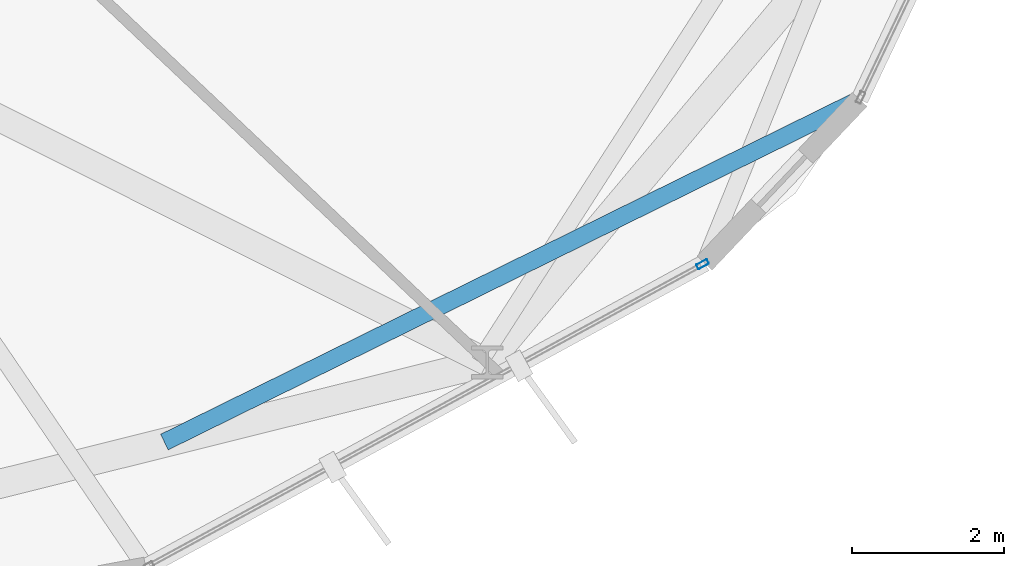
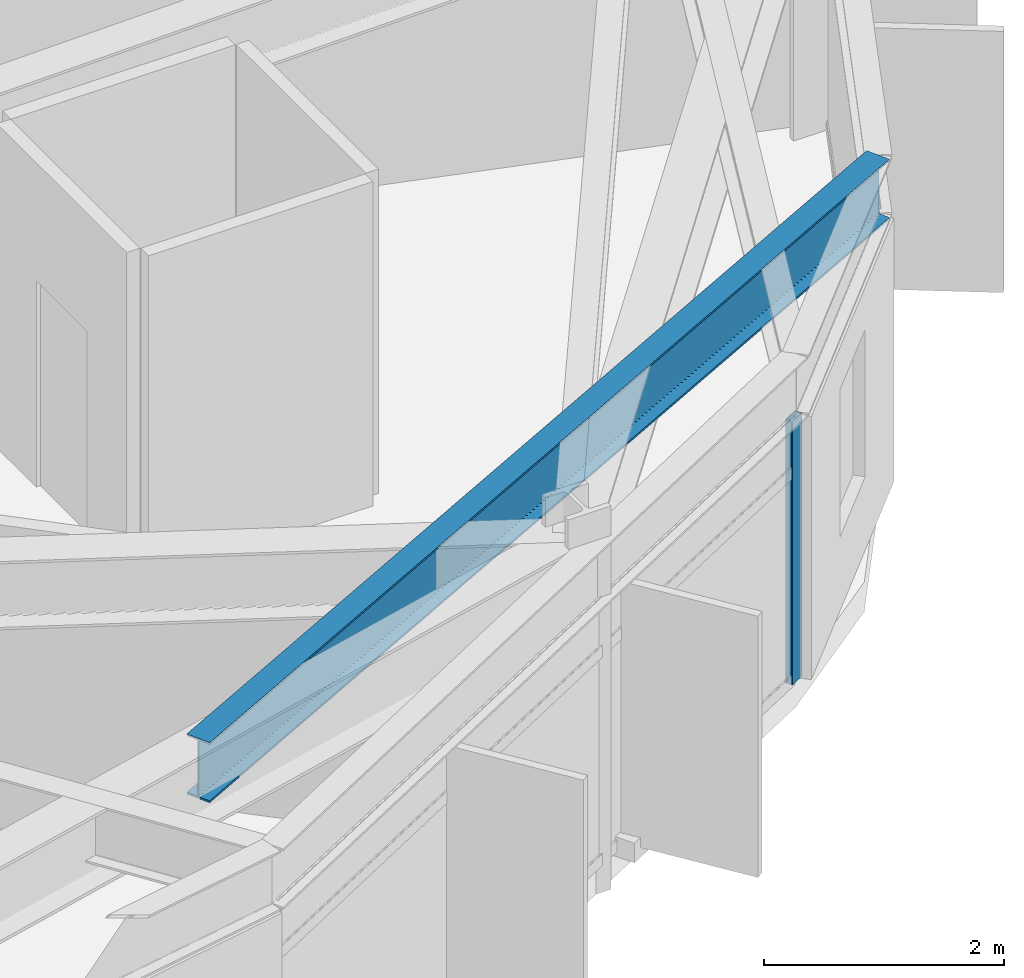
# One storey, part 6 of 23: 1 beam, 1 member, 1 element without a shape of its own.
"""IFC4 building model written with IfcOpenShell, lengths in metres."""

from ifc_helpers import new_model, si_unit, direction, frame, origin, origin_2d, place, context, subcontext, project, spatial, hollow_rectangle, i_section, extrude, material, layer, layer_set, material_profile, profile_set, type_object, element, aggregate, save


model = new_model("IFC4")

# Units and contexts
model_context = context("Model", 3, precision=1e-05, world=origin(), true_north=direction((0.0, 1.0)))
body_context = subcontext(model_context, "Body", "Model", "MODEL_VIEW")
ifc_project = project(units=[si_unit("LENGTHUNIT", "METRE"), si_unit("AREAUNIT", "SQUARE_METRE"), si_unit("VOLUMEUNIT", "CUBIC_METRE"), si_unit("PLANEANGLEUNIT", "RADIAN"), si_unit("MASSUNIT", "GRAM", prefix="KILO")], contexts=[model_context])

# Site, building, storey
site_placement = place(None, origin())
site = spatial("IfcSite", under=ifc_project, at=site_placement, CompositionType="ELEMENT")
building_placement = place(site_placement, origin())
building = spatial("IfcBuilding", under=site, at=building_placement, Name="Soratama Intermodal Tower", CompositionType="ELEMENT")
storey_placement = place(building_placement, frame((0.0, 0.0, 139.0)))
storey = spatial("IfcBuildingStorey", under=building, at=storey_placement, Name="L33", CompositionType="ELEMENT", Elevation=139.0)

# Beam
ifc_material_1 = material(Name="Structural steel ASTM A992 Grade 50", Category="steel")
ifc_material_profile_1 = material_profile(ifc_material_1, i_section(OverallWidth=0.22900390625, OverallDepth=0.612060546875, WebThickness=0.011962890625, FlangeThickness=0.01953125, FilletRadius=0.012939453125, at=origin_2d()), Name="W24X84")
ifc_profile_set_1 = profile_set([ifc_material_profile_1], Name="Structural steel ASTM A992 Grade 50")
beam_type = type_object("IfcBeamType", Name="BM-TIE-W24X84", PredefinedType="BEAM", material=ifc_profile_set_1)
beam_placement = place(storey_placement, frame((50.02490234375, 9.10888671875, 2.993896484375), z_axis=(0.896963835052, 0.442103922861, 0.0), x_axis=(-0.442103922861, 0.896963835052, 0.0)))
element("IfcBeam", 1, at=beam_placement, inside=storey, type_object=beam_type, Name="BM-L33-TIE0-09", PredefinedType="BEAM", context=body_context, shape_type="SweptSolid", body=[
    extrude(i_section(OverallWidth=0.22900390625, OverallDepth=0.612060546875, WebThickness=0.011962890625, FlangeThickness=0.01953125, FilletRadius=0.012939453125, at=origin_2d()), origin(), (0.0, 0.0, 1.0), 10.201171875),
])

# Curtain wall, member
ifc_material_2 = material(Name="Double-glazed aluminium curtain wall", Category="aluminium")
ifc_layer = layer(ifc_material_2, 0.159912109375)
ifc_layer_set = layer_set([ifc_layer], Name="Double-glazed aluminium curtain wall")
curtain_wall_type = type_object("IfcCurtainWallType", Name="CW-SYS-4", PredefinedType="NOTDEFINED", material=ifc_layer_set)
curtain_wall_placement = place(storey_placement, origin())
curtain_wall = element("IfcCurtainWall", 2, at=curtain_wall_placement, inside=storey, type_object=curtain_wall_type, Name="L33 Faceted Curtain Wall F08", PredefinedType="NOTDEFINED")
ifc_material_3 = material(Name="Anodised aluminium AA 6063-T6", Category="aluminium")
ifc_material_profile_2 = material_profile(ifc_material_3, hollow_rectangle(XDim=0.070068359375, YDim=0.159912109375, WallThickness=0.0048828125, InnerFilletRadius=0.0048828125, OuterFilletRadius=0.010009765625, at=origin_2d()), Name="CWM160X70X5")
ifc_profile_set_2 = profile_set([ifc_material_profile_2], Name="Anodised aluminium AA 6063-T6")
member_type = type_object("IfcMemberType", Name="MT-CWM-4", PredefinedType="MULLION", material=ifc_profile_set_2)
member_placement = place(storey_placement, frame((57.109130859375, 11.45068359375, 0.0), z_axis=(0.0, 0.0, 1.0), x_axis=(-0.478083234928, 0.878314533912, 0.0)))
member = element("IfcMember", 3, at=member_placement, type_object=member_type, Name="CW-4 mullion 2", PredefinedType="MULLION", context=body_context, shape_type="SweptSolid", body=[
    extrude(hollow_rectangle(XDim=0.070068359375, YDim=0.159912109375, WallThickness=0.0048828125, InnerFilletRadius=0.0048828125, OuterFilletRadius=0.010009765625, at=origin_2d()), origin(), (0.0, 0.0, 1.0), 2.678955078125),
])
aggregate(curtain_wall, [member])

save(model, "model.ifc")
